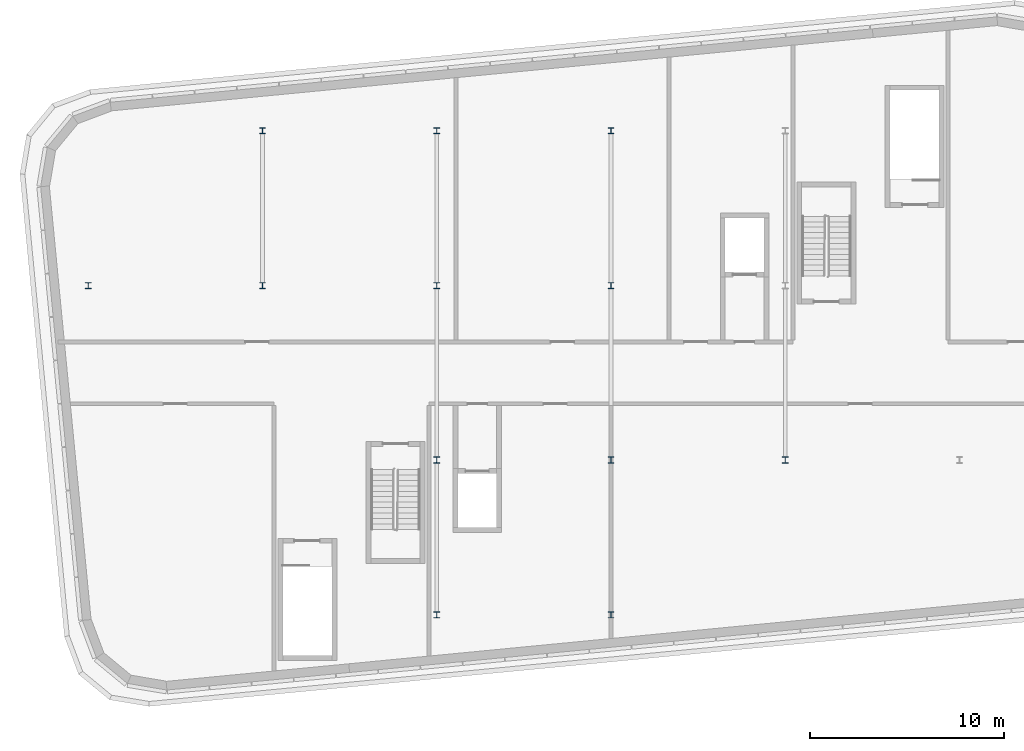
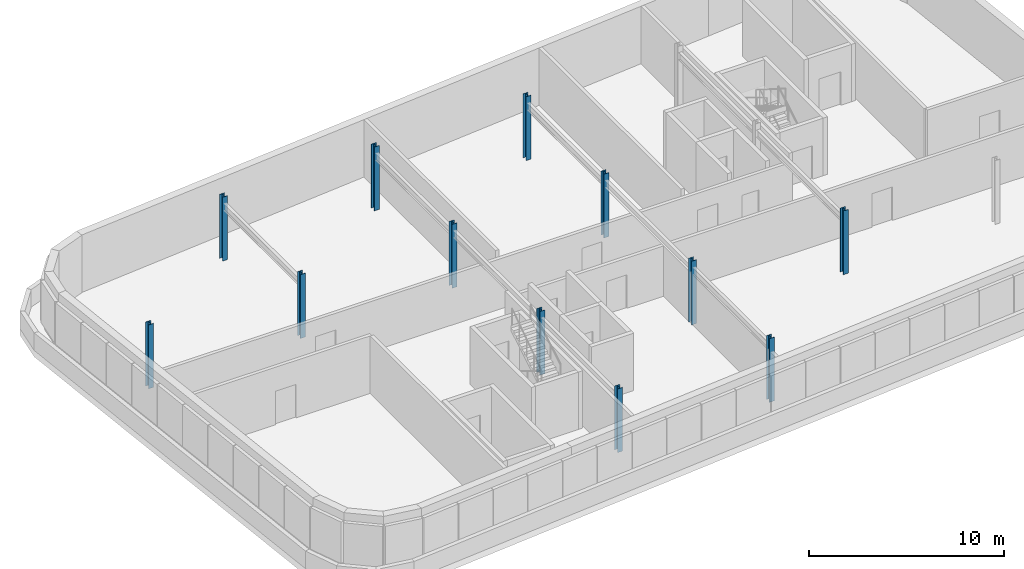
# One storey, part 1 of 6: 12 columns.
"""IFC4 building model written with IfcOpenShell, lengths in metres."""

from ifc_helpers import new_model, si_unit, direction, frame, origin, origin_2d, place, context, subcontext, project, spatial, i_section, extrude, material, material_profile, profile_set, type_object, element, save


model = new_model("IFC4")

# Units and contexts
model_context = context("Model", 3, precision=1e-05, world=origin(), true_north=direction((0.0, 1.0)))
body_context = subcontext(model_context, "Body", "Model", "MODEL_VIEW")
ifc_project = project(units=[si_unit("LENGTHUNIT", "METRE"), si_unit("AREAUNIT", "SQUARE_METRE"), si_unit("VOLUMEUNIT", "CUBIC_METRE"), si_unit("PLANEANGLEUNIT", "RADIAN"), si_unit("MASSUNIT", "GRAM", prefix="KILO")], contexts=[model_context])

# Site, building, storey
site_placement = place(None, origin())
site = spatial("IfcSite", under=ifc_project, at=site_placement, CompositionType="ELEMENT")
building_placement = place(site_placement, origin())
building = spatial("IfcBuilding", under=site, at=building_placement, Name="Kajstack Hotel Tower", CompositionType="ELEMENT")
storey_placement = place(building_placement, frame((0.0, 0.0, 321.800048828125)))
storey = spatial("IfcBuildingStorey", under=building, at=storey_placement, Name="L81", CompositionType="ELEMENT", Elevation=321.800048828125)

# Columns
ifc_material = material(Name="Steel S355J2", Category="steel")
ifc_material_profile = material_profile(ifc_material, i_section(OverallWidth=0.300048828125, OverallDepth=0.320068359375, WebThickness=0.011474609375, FlangeThickness=0.0205078125, FilletRadius=0.027099609375, at=origin_2d()), Name="HEB 320")
ifc_profile_set = profile_set([ifc_material_profile], Name="Steel S355J2")
column_type = type_object("IfcColumnType", Name="CC2 HEB 320", PredefinedType="COLUMN", material=ifc_profile_set)
for number, where, z_axis, x_axis, name in (
    (1, (-27.0, 4.5, 0.0), (0.0, 0.0, 1.0), (1.0, 0.0, 0.0), "S-col-c-L81--27p0+4p5"),
    (2, (-18.0, 4.5, 0.0), (0.0, 0.0, 1.0), (1.0, 0.0, 0.0), "S-col-c-L81--18p0+4p5"),
    (3, (-18.0, 12.5, 0.0), (0.0, 0.0, 1.0), (1.0, 0.0, 0.0), "S-col-c-L81--18p0+12p5"),
    (4, (-9.0, -12.5, 0.0), (0.0, 0.0, 1.0), (1.0, 0.0, 0.0), "S-col-c-L81--9p0-12p5"),
    (5, (-9.0, -4.5, 0.0), (0.0, 0.0, 1.0), (1.0, 0.0, 0.0), "S-col-c-L81--9p0-4p5"),
    (6, (-9.0, 4.5, 0.0), (0.0, 0.0, 1.0), (1.0, 0.0, 0.0), "S-col-c-L81--9p0+4p5"),
    (7, (-9.0, 12.5, 0.0), (0.0, 0.0, 1.0), (1.0, 0.0, 0.0), "S-col-c-L81--9p0+12p5"),
    (8, (0.0, -12.5, 0.0), (0.0, 0.0, 1.0), (1.0, 0.0, 0.0), "S-col-c-L81-+0p0-12p5"),
    (9, (0.0, -4.5, 0.0), (0.0, 0.0, 1.0), (1.0, 0.0, 0.0), "S-col-c-L81-+0p0-4p5"),
    (10, (0.0, 4.5, 0.0), (0.0, 0.0, 1.0), (1.0, 0.0, 0.0), "S-col-c-L81-+0p0+4p5"),
    (11, (0.0, 12.5, 0.0), (0.0, 0.0, 1.0), (1.0, 0.0, 0.0), "S-col-c-L81-+0p0+12p5"),
    (12, (9.0, -4.5, 0.0), (0.0, 0.0, 1.0), (1.0, 0.0, 0.0), "S-col-c-L81-+9p0-4p5"),
):
    element("IfcColumn", number, at=place(storey_placement, frame(where, z_axis=z_axis, x_axis=x_axis)), inside=storey, type_object=column_type, Name=name, PredefinedType="COLUMN", context=body_context, shape_type="SweptSolid", body=[
        extrude(i_section(OverallWidth=0.300048828125, OverallDepth=0.320068359375, WebThickness=0.011474609375, FlangeThickness=0.0205078125, FilletRadius=0.027099609375, at=origin_2d()), origin(), (0.0, 0.0, 1.0), 4.0),
    ])

save(model, "model.ifc")
